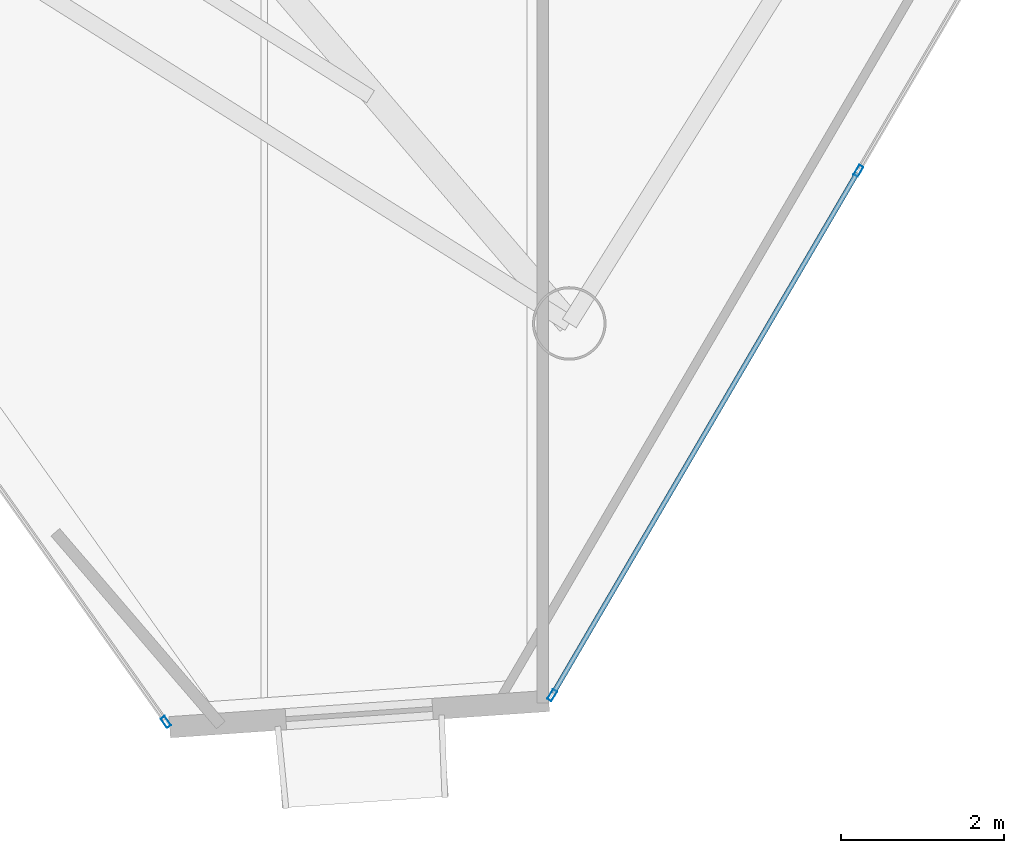
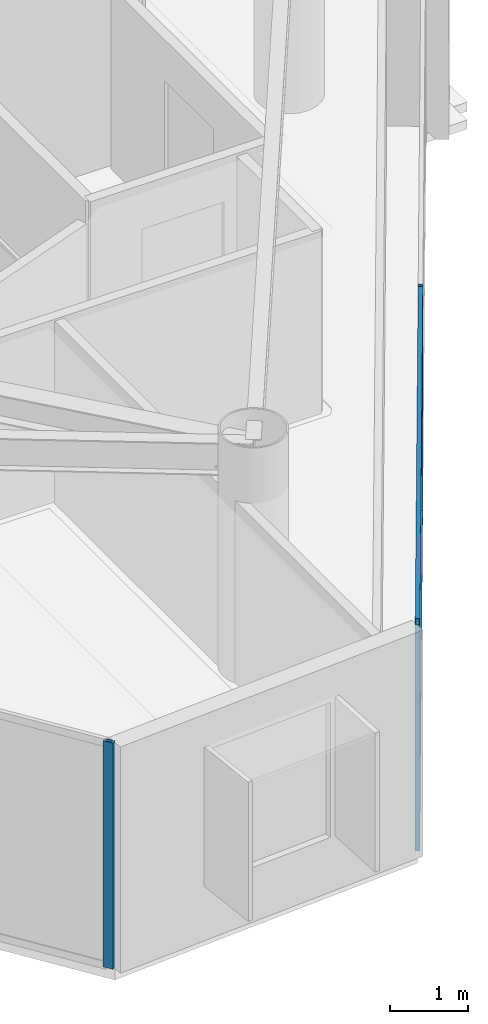
# One storey, part 4 of 22: 5 members, 2 elements without a shape of their own.
"""IFC4 building model written with IfcOpenShell, lengths in metres."""

from ifc_helpers import new_model, si_unit, direction, frame, origin, origin_2d, place, context, subcontext, project, spatial, hollow_rectangle, extrude, material, layer, layer_set, material_profile, profile_set, type_object, element, aggregate, save


model = new_model("IFC4")

# Units and contexts
model_context = context("Model", 3, precision=1e-05, world=origin(), true_north=direction((0.0, 1.0)))
body_context = subcontext(model_context, "Body", "Model", "MODEL_VIEW")
ifc_project = project(units=[si_unit("LENGTHUNIT", "METRE"), si_unit("AREAUNIT", "SQUARE_METRE"), si_unit("VOLUMEUNIT", "CUBIC_METRE"), si_unit("PLANEANGLEUNIT", "RADIAN"), si_unit("MASSUNIT", "GRAM", prefix="KILO")], contexts=[model_context])

# Site, building, storey
site_placement = place(None, origin())
site = spatial("IfcSite", under=ifc_project, at=site_placement, CompositionType="ELEMENT")
building_placement = place(site_placement, origin())
building = spatial("IfcBuilding", under=site, at=building_placement, Name="Qianvela Tower", CompositionType="ELEMENT")
storey_placement = place(building_placement, frame((0.0, 0.0, 299.10009765625)))
storey = spatial("IfcBuildingStorey", under=building, at=storey_placement, Name="L77", CompositionType="ELEMENT", Elevation=299.10009765625)

# Curtain wall, member
ifc_material_1 = material(Name="Anodised Architectural Aluminium and Low-E Glass", Category="aluminium")
ifc_layer = layer(ifc_material_1, 0.14990234375)
ifc_layer_set = layer_set([ifc_layer], Name="Anodised Architectural Aluminium and Low-E Glass")
curtain_wall_type = type_object("IfcCurtainWallType", Name="CW-COLIV-Z78", PredefinedType="USERDEFINED", material=ifc_layer_set)
curtain_wall_1_placement = place(storey_placement, origin())
curtain_wall_1 = element("IfcCurtainWall", 1, at=curtain_wall_1_placement, inside=storey, type_object=curtain_wall_type, Name="L77 CW-COLIV-Z78 Curtain Wall 04C", ObjectType="CURTAIN_WALL_SYSTEM", PredefinedType="USERDEFINED")
ifc_material_2 = material(Name="Anodised Architectural Aluminium 6063-T6", Category="aluminium")
ifc_material_profile_1 = material_profile(ifc_material_2, hollow_rectangle(XDim=0.06005859375, YDim=0.139892578125, WallThickness=0.00439453125, at=origin_2d()), Name="ALU-MULL-60x140")
ifc_profile_set_1 = profile_set([ifc_material_profile_1], Name="Anodised Architectural Aluminium 6063-T6")
member_type_1 = type_object("IfcMemberType", Name="CW-COLIV-Z78-MULL", PredefinedType="MULLION", material=ifc_profile_set_1)
member_1_placement = place(storey_placement, frame((34.157470703125, 6.710205078125, 0.0), z_axis=(0.0, 0.0, 1.0), x_axis=(0.815527281768, 0.578718629985, 0.0)))
member_1 = element("IfcMember", 2, at=member_1_placement, type_object=member_type_1, Name="CW-6 mullion 3", PredefinedType="MULLION", context=body_context, shape_type="SweptSolid", body=[
    extrude(hollow_rectangle(XDim=0.06005859375, YDim=0.139892578125, WallThickness=0.00439453125, at=origin_2d()), origin(), (0.0, 0.0, 1.0), 3.52001953125),
])
aggregate(curtain_wall_1, [member_1])

# Curtain wall, members
curtain_wall_2_placement = place(storey_placement, origin())
curtain_wall_2 = element("IfcCurtainWall", 3, at=curtain_wall_2_placement, inside=storey, type_object=curtain_wall_type, Name="L77 CW-COLIV-Z78 Curtain Wall 06A", ObjectType="CURTAIN_WALL_SYSTEM", PredefinedType="USERDEFINED")
member_2_placement = place(storey_placement, frame((38.8857421875, 7.036376953125, 0.0), z_axis=(0.0, 0.0, 1.0), x_axis=(-0.863509125231, 0.5043332139, 0.0)))
member_2 = element("IfcMember", 4, at=member_2_placement, type_object=member_type_1, Name="CW-6 mullion 1", PredefinedType="MULLION", context=body_context, shape_type="SweptSolid", body=[
    extrude(hollow_rectangle(XDim=0.06005859375, YDim=0.139892578125, WallThickness=0.00439453125, at=origin_2d()), origin(), (0.0, 0.0, 1.0), 3.52001953125),
])
member_3_placement = place(storey_placement, frame((42.63525390625, 13.45654296875, 0.0), z_axis=(0.0, 0.0, 1.0), x_axis=(-0.863509125231, 0.5043332139, 0.0)))
member_3 = element("IfcMember", 5, at=member_3_placement, type_object=member_type_1, Name="CW-6 mullion 2", PredefinedType="MULLION", context=body_context, shape_type="SweptSolid", body=[
    extrude(hollow_rectangle(XDim=0.06005859375, YDim=0.139892578125, WallThickness=0.00439453125, at=origin_2d()), origin(), (0.0, 0.0, 1.0), 3.52001953125),
])
ifc_material_3 = material(Name="Anodised Architectural Aluminium 6063-T6", Category="aluminium")
ifc_material_profile_2 = material_profile(ifc_material_3, hollow_rectangle(XDim=0.06005859375, YDim=0.114990234375, WallThickness=0.00390625, at=origin_2d()), Name="ALU-TRAN-60x115")
ifc_profile_set_2 = profile_set([ifc_material_profile_2], Name="Anodised Architectural Aluminium 6063-T6")
member_type_2 = type_object("IfcMemberType", Name="CW-COLIV-Z78-TRAN", PredefinedType="USERDEFINED", material=ifc_profile_set_2)
member_4_placement = place(storey_placement, frame((38.90087890625, 7.062255859375, 0.02978515625), z_axis=(0.504309376862, 0.863523046832, 0.0), x_axis=(-0.863523046832, 0.504309376862, 0.0)))
member_4 = element("IfcMember", 6, at=member_4_placement, type_object=member_type_2, Name="CW-6 transom 1.1", ObjectType="TRANSOM", PredefinedType="USERDEFINED", context=body_context, shape_type="SweptSolid", body=[
    extrude(hollow_rectangle(XDim=0.06005859375, YDim=0.114990234375, WallThickness=0.00390625, at=origin_2d()), origin(), (0.0, 0.0, 1.0), 7.375),
])
member_5_placement = place(storey_placement, frame((38.90087890625, 7.062255859375, 3.489990234375), z_axis=(0.504309376862, 0.863523046832, 0.0), x_axis=(-0.863523046832, 0.504309376862, 0.0)))
member_5 = element("IfcMember", 7, at=member_5_placement, type_object=member_type_2, Name="CW-6 transom 1.2", ObjectType="TRANSOM", PredefinedType="USERDEFINED", context=body_context, shape_type="SweptSolid", body=[
    extrude(hollow_rectangle(XDim=0.06005859375, YDim=0.114990234375, WallThickness=0.00390625, at=origin_2d()), origin(), (0.0, 0.0, 1.0), 7.375),
])
aggregate(curtain_wall_2, [member_2, member_3, member_4, member_5])

save(model, "model.ifc")
